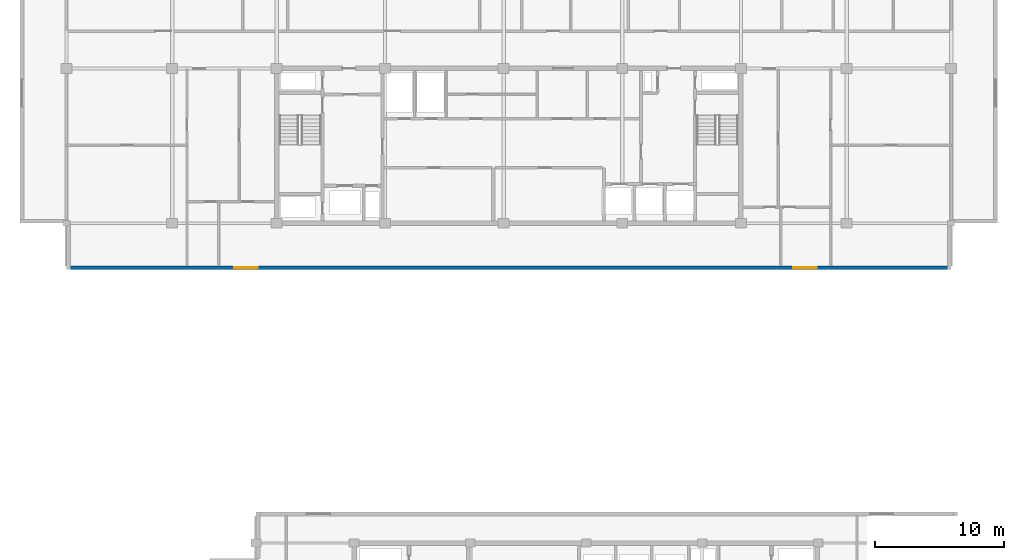
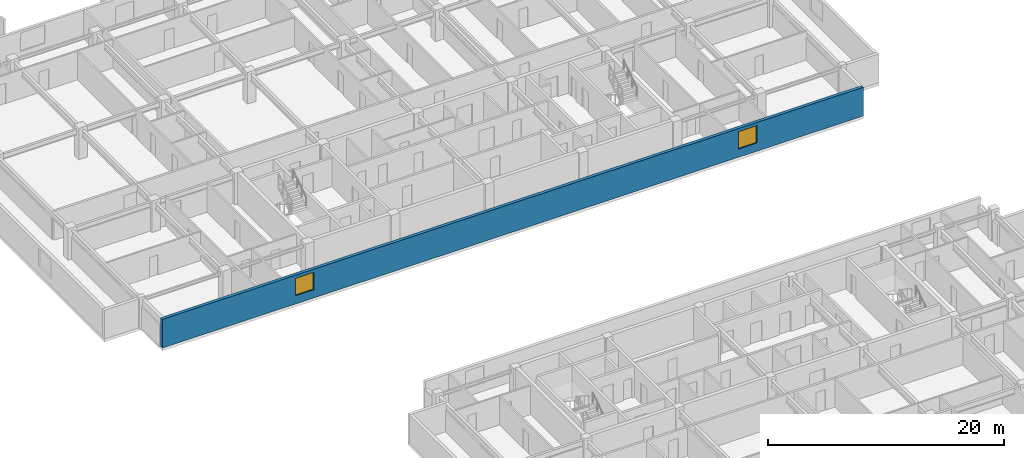
# One storey, part 8 of 21: 2 windows, 1 wall, 2 openings.
"""IFC4 building model written with IfcOpenShell, lengths in metres."""

from ifc_helpers import new_model, si_unit, direction, frame, frame_2d, origin, place, context, subcontext, project, spatial, rectangle, extrude, material, layer, layer_set, type_object, element, fill, save


model = new_model("IFC4")

# Units and contexts
model_context = context("Model", 3, precision=1e-05, world=origin(), true_north=direction((0.0, 1.0)))
body_context = subcontext(model_context, "Body", "Model", "MODEL_VIEW")
ifc_project = project(units=[si_unit("LENGTHUNIT", "METRE"), si_unit("AREAUNIT", "SQUARE_METRE"), si_unit("VOLUMEUNIT", "CUBIC_METRE"), si_unit("PLANEANGLEUNIT", "RADIAN"), si_unit("MASSUNIT", "GRAM", prefix="KILO")], contexts=[model_context])

# Site, building, storey
site_placement = place(None, origin())
site = spatial("IfcSite", under=ifc_project, at=site_placement, CompositionType="ELEMENT")
building_placement = place(site_placement, origin())
building = spatial("IfcBuilding", under=site, at=building_placement, Name="Korimba Cascade Residences", CompositionType="ELEMENT")
storey_placement = place(building_placement, frame((0.0, 0.0, 184.85009765625)))
storey = spatial("IfcBuildingStorey", under=building, at=storey_placement, Name="L53", CompositionType="ELEMENT", Elevation=184.85009765625)

# Wall, openings, windows
ifc_material_1 = material(Name="Precast concrete C40/50", Category="concrete")
ifc_layer = layer(ifc_material_1, 0.300048828125)
ifc_layer_set = layer_set([ifc_layer], Name="Precast concrete C40/50")
wall_type = type_object("IfcWallType", Name="EW-STONE-300", PredefinedType="STANDARD", material=ifc_layer_set)
wall_placement = place(storey_placement, frame((59.800048828125, 51.75, 0.0), z_axis=(0.0, 0.0, 1.0), x_axis=(1.0, 0.0, 0.0)))
wall = element("IfcWall", 1, at=wall_placement, inside=storey, type_object=wall_type, Name="L53 T1 Perimeter Stone Wall E00", PredefinedType="STANDARD", context=body_context, shape_type="SweptSolid", body=[
    extrude(rectangle(XDim=68.599853515625, YDim=0.300048828125, at=frame_2d((34.2998046875, 0.0))), origin(), (0.0, 0.0, 1.0), 2.969970703125),
])
opening_1_placement = place(wall_placement, frame((13.02490234375, 0.0, 0.85009765625)))
opening_1 = element("IfcOpeningElement", 2, at=opening_1_placement, cuts=wall, Name="Opening W-02", PredefinedType="OPENING", context=body_context, shape_type="SweptSolid", body=[
    extrude(rectangle(XDim=1.800048828125, YDim=1.800048828125, at=frame_2d((0.89990234375, 0.89990234375))), frame((0.0, 0.16015625, 0.0), z_axis=(0.0, -1.0, 0.0), x_axis=(1.0, 0.0, 0.0)), (0.0, 0.0, 1.0), 0.320068359375),
])
opening_2_placement = place(wall_placement, frame((56.375, 0.0, 0.85009765625)))
opening_2 = element("IfcOpeningElement", 3, at=opening_2_placement, cuts=wall, Name="Opening W-02", PredefinedType="OPENING", context=body_context, shape_type="SweptSolid", body=[
    extrude(rectangle(XDim=1.800048828125, YDim=1.800048828125, at=frame_2d((0.89990234375, 0.89990234375))), frame((0.0, 0.16015625, 0.0), z_axis=(0.0, -1.0, 0.0), x_axis=(1.0, 0.0, 0.0)), (0.0, 0.0, 1.0), 0.320068359375),
])
ifc_material_2 = material(Name="Double-Glazed Aluminium Window", Category="aluminium")
window_type = type_object("IfcWindowType", Name="WIN-BED-1800", PartitioningType="SINGLE_PANEL", PredefinedType="WINDOW", material=ifc_material_2)
window_1_placement = place(opening_1_placement, origin())
window_1 = element("IfcWindow", 4, at=window_1_placement, inside=storey, type_object=window_type, Name="L53 T1 South Corner Bedroom Window 1", OverallHeight=1.800048828125, OverallWidth=1.800048828125, PartitioningType="SINGLE_PANEL", PredefinedType="WINDOW", context=body_context, shape_type="SweptSolid", body=[
    extrude(rectangle(XDim=1.800048828125, YDim=1.800048828125, at=frame_2d((0.89990234375, 0.89990234375))), frame((0.0, 0.030029296875, 0.0), z_axis=(0.0, -1.0, 0.0), x_axis=(1.0, 0.0, 0.0)), (0.0, 0.0, 1.0), 0.06005859375),
])
fill(opening_1, window_1)
window_2_placement = place(opening_2_placement, origin())
window_2 = element("IfcWindow", 5, at=window_2_placement, inside=storey, type_object=window_type, Name="L53 T1 South Corner Bedroom Window 2", OverallHeight=1.800048828125, OverallWidth=1.800048828125, PartitioningType="SINGLE_PANEL", PredefinedType="WINDOW", context=body_context, shape_type="SweptSolid", body=[
    extrude(rectangle(XDim=1.800048828125, YDim=1.800048828125, at=frame_2d((0.89990234375, 0.89990234375))), frame((0.0, 0.030029296875, 0.0), z_axis=(0.0, -1.0, 0.0), x_axis=(1.0, 0.0, 0.0)), (0.0, 0.0, 1.0), 0.06005859375),
])
fill(opening_2, window_2)

save(model, "model.ifc")
